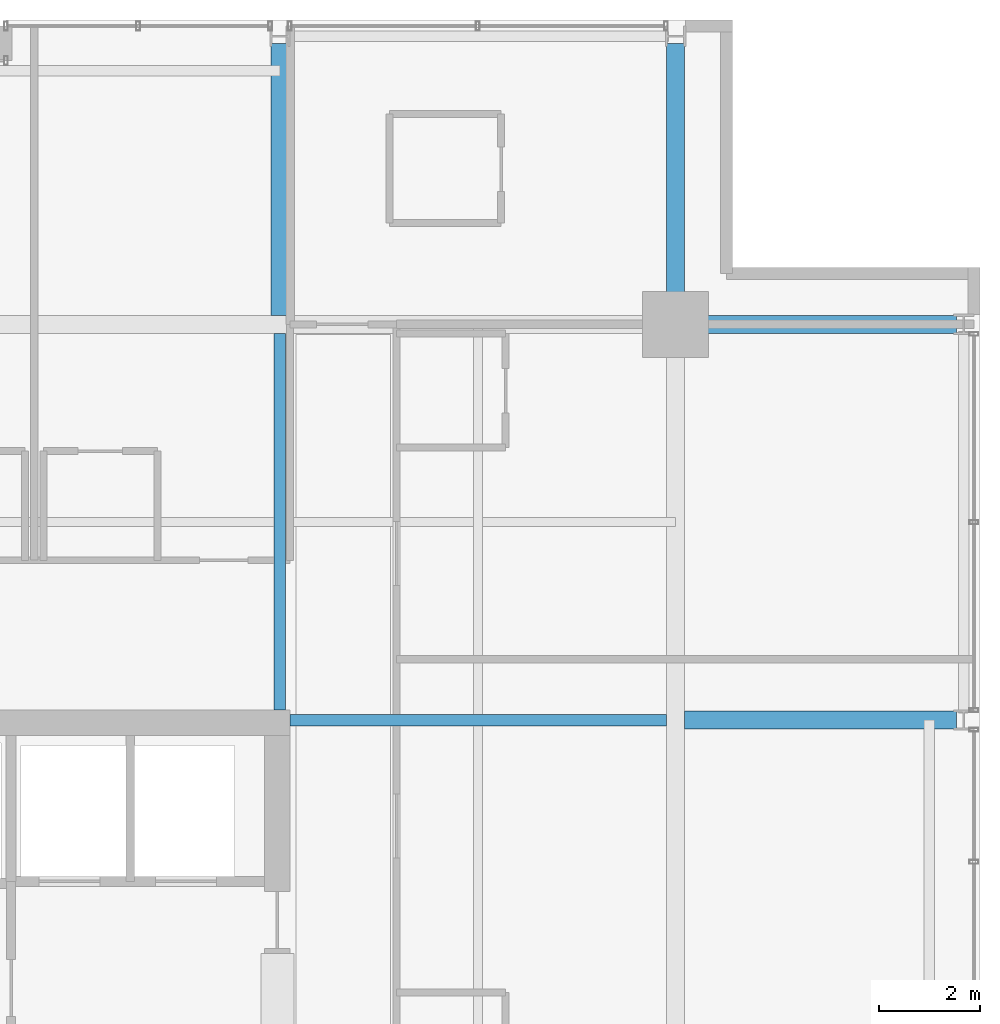
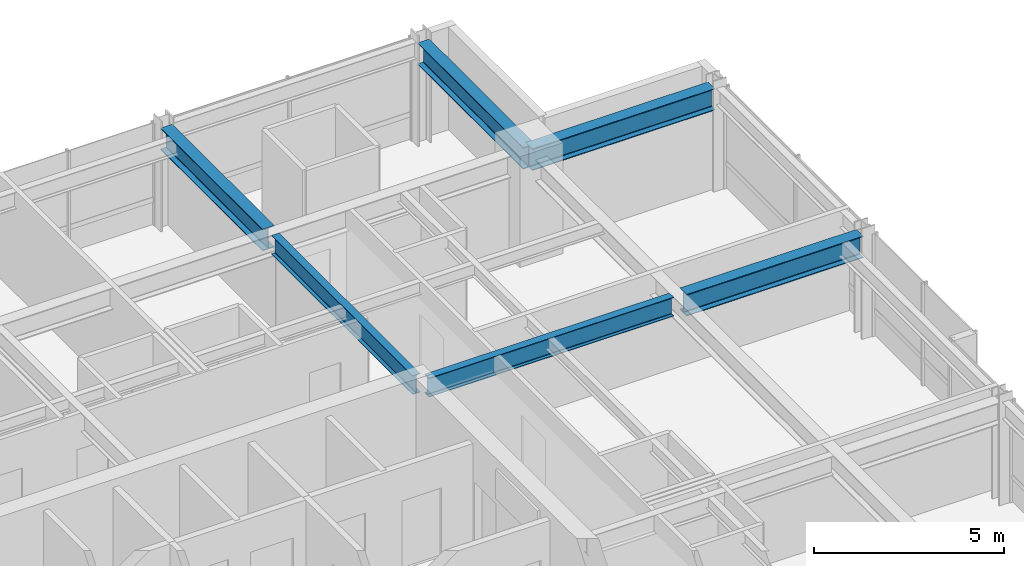
# One storey, part 21 of 32: 6 beams.
"""IFC4 building model written with IfcOpenShell, lengths in metres."""

from ifc_helpers import new_model, si_unit, direction, frame, origin, origin_2d, place, context, subcontext, project, spatial, i_section, extrude, material, material_profile, profile_set, type_object, element, save


model = new_model("IFC4")

# Units and contexts
model_context = context("Model", 3, precision=1e-05, world=origin(), true_north=direction((0.0, 1.0)))
body_context = subcontext(model_context, "Body", "Model", "MODEL_VIEW")
ifc_project = project(units=[si_unit("LENGTHUNIT", "METRE"), si_unit("AREAUNIT", "SQUARE_METRE"), si_unit("VOLUMEUNIT", "CUBIC_METRE"), si_unit("PLANEANGLEUNIT", "RADIAN"), si_unit("MASSUNIT", "GRAM", prefix="KILO")], contexts=[model_context])

# Site, building, storey
site_placement = place(None, origin())
site = spatial("IfcSite", under=ifc_project, at=site_placement, CompositionType="ELEMENT")
building_placement = place(site_placement, origin())
building = spatial("IfcBuilding", under=site, at=building_placement, Name="Drelvath Grand Hotel", CompositionType="ELEMENT")
storey_placement = place(building_placement, frame((0.0, 0.0, 189.449951171875)))
storey = spatial("IfcBuildingStorey", under=building, at=storey_placement, Name="L49", CompositionType="ELEMENT", Elevation=189.449951171875)

# Beams
ifc_material = material(Name="Steel ASTM A992 Gr 50", Category="steel")
ifc_material_profile_1 = material_profile(ifc_material, i_section(OverallWidth=0.228271484375, OverallDepth=0.607666015625, WebThickness=0.01123046875, FlangeThickness=0.017333984375, FilletRadius=0.02001953125, at=origin_2d()), Name="W24X76")
ifc_profile_set_1 = profile_set([ifc_material_profile_1], Name="Steel ASTM A992 Gr 50")
beam_type_1 = type_object("IfcBeamType", Name="Primary Floor Girder W24X76", PredefinedType="BEAM", material=ifc_profile_set_1)
for number, where, z_axis, x_axis, name in (
    (1, (8.60009765625, 35.39990234375, 2.986328125), (1.0, 0.0, 0.0), (0.0, 1.0, 0.0), "L49 East Core Tie F"),
    (2, (8.39990234375, 35.60009765625, 2.986328125), (0.0, 1.0, 0.0), (-1.0, 0.0, 0.0), "L49 North Core Tie 6"),
):
    element("IfcBeam", number, at=place(storey_placement, frame(where, z_axis=z_axis, x_axis=x_axis)), inside=storey, type_object=beam_type_1, Name=name, PredefinedType="BEAM", context=body_context, shape_type="SweptSolid", body=[
        extrude(i_section(OverallWidth=0.228271484375, OverallDepth=0.607666015625, WebThickness=0.01123046875, FlangeThickness=0.017333984375, FilletRadius=0.02001953125, at=origin_2d()), origin(), (0.0, 0.0, 1.0), 7.422607421875),
    ])
ifc_material_profile_2 = material_profile(ifc_material, i_section(OverallWidth=0.354736328125, OverallDepth=0.695556640625, WebThickness=0.015380859375, FlangeThickness=0.025146484375, FilletRadius=0.02392578125, at=origin_2d()), Name="W27X146")
ifc_profile_set_2 = profile_set([ifc_material_profile_2], Name="Steel ASTM A992 Gr 50")
beam_type_2 = type_object("IfcBeamType", Name="Primary Floor Girder W27X146", PredefinedType="BEAM", material=ifc_profile_set_2)
beam_1_placement = place(storey_placement, frame((16.199951171875, 43.199951171875, 2.9423828125), z_axis=(1.0, 0.0, 0.0), x_axis=(0.0, 1.0, 0.0)))
element("IfcBeam", 3, at=beam_1_placement, inside=storey, type_object=beam_type_2, Name="L49 East Grid Girder G", PredefinedType="BEAM", context=body_context, shape_type="SweptSolid", body=[
    extrude(i_section(OverallWidth=0.354736328125, OverallDepth=0.695556640625, WebThickness=0.015380859375, FlangeThickness=0.025146484375, FilletRadius=0.02392578125, at=origin_2d()), origin(), (0.0, 0.0, 1.0), 5.5400390625),
])
beam_2_placement = place(storey_placement, frame((16.37744140625, 35.39990234375, 2.9423828125), z_axis=(1.0, 0.0, 0.0), x_axis=(0.0, 1.0, 0.0)))
element("IfcBeam", 4, at=beam_2_placement, inside=storey, type_object=beam_type_2, Name="L49 East Wing Girder F", PredefinedType="BEAM", context=body_context, shape_type="SweptSolid", body=[
    extrude(i_section(OverallWidth=0.354736328125, OverallDepth=0.695556640625, WebThickness=0.015380859375, FlangeThickness=0.025146484375, FilletRadius=0.02392578125, at=origin_2d()), origin(), (0.0, 0.0, 1.0), 5.362548828125),
])
beam_3_placement = place(storey_placement, frame((16.199951171875, 43.199951171875, 2.9423828125), z_axis=(0.0, 1.0, 0.0), x_axis=(-1.0, 0.0, 0.0)))
element("IfcBeam", 5, at=beam_3_placement, inside=storey, type_object=beam_type_2, Name="L49 North Grid Girder 7", PredefinedType="BEAM", context=body_context, shape_type="SweptSolid", body=[
    extrude(i_section(OverallWidth=0.354736328125, OverallDepth=0.695556640625, WebThickness=0.015380859375, FlangeThickness=0.025146484375, FilletRadius=0.02392578125, at=origin_2d()), origin(), (0.0, 0.0, 1.0), 5.5400390625),
])
beam_4_placement = place(storey_placement, frame((8.39990234375, 43.37744140625, 2.9423828125), z_axis=(0.0, 1.0, 0.0), x_axis=(-1.0, 0.0, 0.0)))
element("IfcBeam", 6, at=beam_4_placement, inside=storey, type_object=beam_type_2, Name="L49 North Wing Girder 6", PredefinedType="BEAM", context=body_context, shape_type="SweptSolid", body=[
    extrude(i_section(OverallWidth=0.354736328125, OverallDepth=0.695556640625, WebThickness=0.015380859375, FlangeThickness=0.025146484375, FilletRadius=0.02392578125, at=origin_2d()), origin(), (0.0, 0.0, 1.0), 5.362548828125),
])

save(model, "model.ifc")
